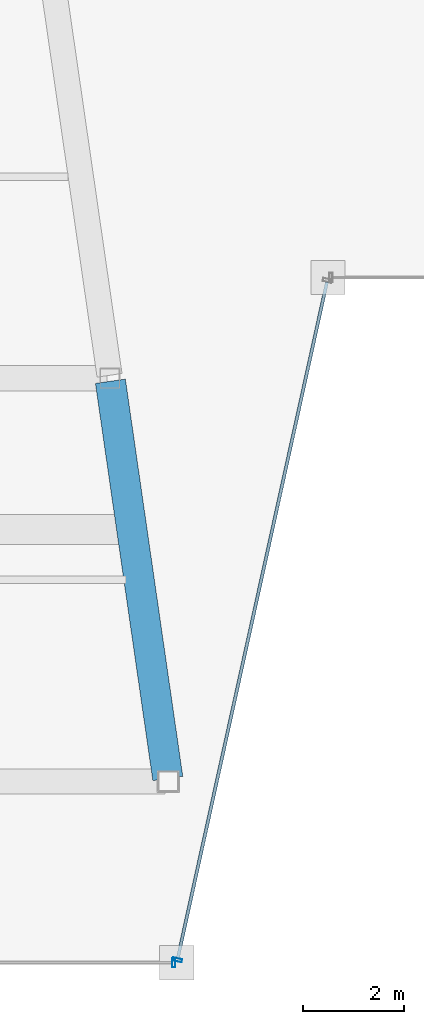
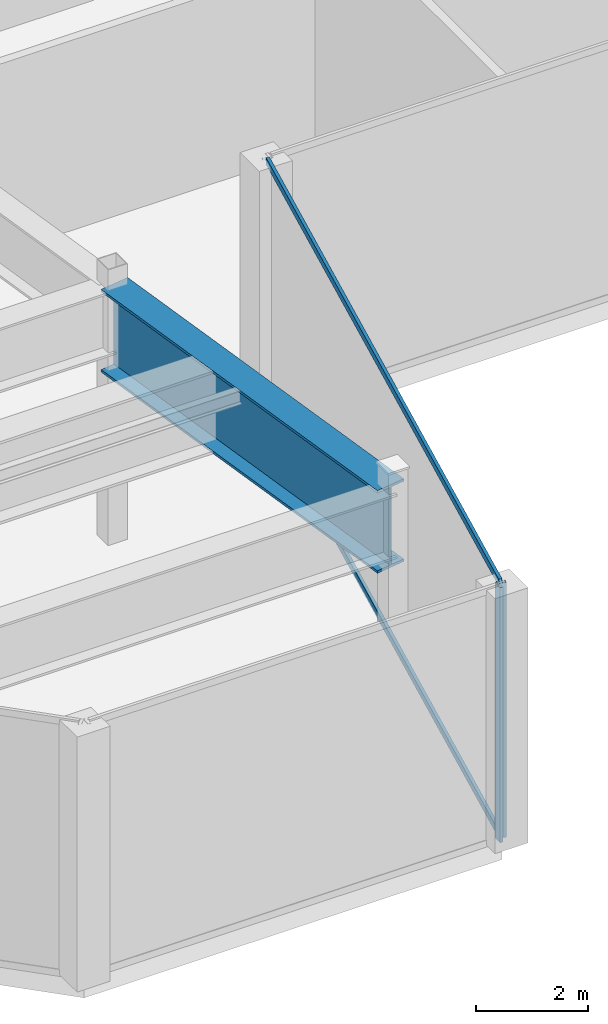
# One storey, part 7 of 34: 4 members, 1 beam, 2 elements without a shape of their own.
"""IFC4 building model written with IfcOpenShell, lengths in metres."""

from ifc_helpers import new_model, si_unit, direction, frame, origin, origin_2d, place, context, subcontext, project, spatial, hollow_rectangle, i_section, extrude, material, material_profile, profile_set, type_object, element, aggregate, save


model = new_model("IFC4")

# Units and contexts
model_context = context("Model", 3, precision=1e-05, world=origin(), true_north=direction((0.0, 1.0)))
body_context = subcontext(model_context, "Body", "Model", "MODEL_VIEW")
ifc_project = project(units=[si_unit("LENGTHUNIT", "METRE"), si_unit("AREAUNIT", "SQUARE_METRE"), si_unit("VOLUMEUNIT", "CUBIC_METRE"), si_unit("PLANEANGLEUNIT", "RADIAN"), si_unit("MASSUNIT", "GRAM", prefix="KILO")], contexts=[model_context])

# Site, building, storey
site_placement = place(None, origin())
site = spatial("IfcSite", under=ifc_project, at=site_placement, CompositionType="ELEMENT")
building_placement = place(site_placement, origin())
building = spatial("IfcBuilding", under=site, at=building_placement, Name="Saevonmaru Cultural Tower", CompositionType="ELEMENT")
storey_placement = place(building_placement, frame((0.0, 0.0, 224.60009765625)))
storey = spatial("IfcBuildingStorey", under=building, at=storey_placement, Name="L52", CompositionType="ELEMENT", Elevation=224.60009765625)

# Beam
ifc_material_1 = material(Name="Steel HSA600 (600 MPa)", Category="steel")
ifc_material_profile_1 = material_profile(ifc_material_1, i_section(OverallWidth=0.60009765625, OverallDepth=1.800048828125, WebThickness=0.028076171875, FlangeThickness=0.054931640625, at=origin_2d()), Name="PG-1800x600x28x55")
ifc_profile_set_1 = profile_set([ifc_material_profile_1], Name="Steel HSA600 (600 MPa)")
beam_type = type_object("IfcBeamType", Name="BM-TG-PG1800", PredefinedType="BEAM", material=ifc_profile_set_1)
beam_placement = place(storey_placement, frame((21.91943359375, 16.059326171875, 4.64990234375), z_axis=(-0.143022161059, 0.989719486241, 0.0), x_axis=(-0.989719486241, -0.143022161059, 0.0)))
element("IfcBeam", 1, at=beam_placement, inside=storey, type_object=beam_type, Name="L52 West Atrium Girder 1", PredefinedType="BEAM", context=body_context, shape_type="SweptSolid", body=[
    extrude(i_section(OverallWidth=0.60009765625, OverallDepth=1.800048828125, WebThickness=0.028076171875, FlangeThickness=0.054931640625, at=origin_2d()), origin(), (0.0, 0.0, 1.0), 7.963134765625),
])

# Curtain wall, member
ifc_material_2 = material(Name="Satin Bronze Anodised Aluminium", Category="aluminium")
curtain_wall_type = type_object("IfcCurtainWallType", Name="CW-TYP-B", PredefinedType="NOTDEFINED", material=ifc_material_2)
curtain_wall_1_placement = place(storey_placement, origin())
curtain_wall_1 = element("IfcCurtainWall", 2, at=curtain_wall_1_placement, inside=storey, type_object=curtain_wall_type, Name="L52 Wind-Floor Acoustic Louvre Screen E2", PredefinedType="NOTDEFINED")
ifc_material_profile_2 = material_profile(ifc_material_2, hollow_rectangle(XDim=0.06494140625, YDim=0.179931640625, WallThickness=0.00390625, at=origin_2d()), Name="ALU-MULL-180x65x4")
ifc_profile_set_2 = profile_set([ifc_material_profile_2], Name="Satin Bronze Anodised Aluminium")
member_type_1 = type_object("IfcMemberType", Name="ML-CW-180x65", PredefinedType="MULLION", material=ifc_profile_set_2)
member_1_placement = place(storey_placement, frame((22.037841796875, 12.39990234375, 0.0), z_axis=(0.0, 0.0, 1.0), x_axis=(1.0, 0.0, 0.0)))
member_1 = element("IfcMember", 3, at=member_1_placement, type_object=member_type_1, Name="CW-TW-L52-E2 mullion 2", PredefinedType="MULLION", context=body_context, shape_type="SweptSolid", body=[
    extrude(hollow_rectangle(XDim=0.06494140625, YDim=0.179931640625, WallThickness=0.00390625, at=origin_2d()), origin(), (0.0, 0.0, 1.0), 5.5498046875),
])
aggregate(curtain_wall_1, [member_1])

# Curtain wall, members
curtain_wall_2_placement = place(storey_placement, origin())
curtain_wall_2 = element("IfcCurtainWall", 4, at=curtain_wall_2_placement, inside=storey, type_object=curtain_wall_type, Name="L52 Wind-Floor Acoustic Louvre Screen E3", PredefinedType="NOTDEFINED")
member_2_placement = place(storey_placement, frame((22.110595703125, 12.45849609375, 0.0), z_axis=(0.0, 0.0, 1.0), x_axis=(0.215413319953, 0.976522965212, 0.0)))
member_2 = element("IfcMember", 5, at=member_2_placement, type_object=member_type_1, Name="CW-TW-L52-E3 mullion 1", PredefinedType="MULLION", context=body_context, shape_type="SweptSolid", body=[
    extrude(hollow_rectangle(XDim=0.06494140625, YDim=0.179931640625, WallThickness=0.00390625, at=origin_2d()), origin(), (0.0, 0.0, 1.0), 5.5498046875),
])
ifc_material_profile_3 = material_profile(ifc_material_2, hollow_rectangle(XDim=0.06494140625, YDim=0.14990234375, WallThickness=0.00390625, at=origin_2d()), Name="ALU-TRAN-150x65x4")
ifc_profile_set_3 = profile_set([ifc_material_profile_3], Name="Satin Bronze Anodised Aluminium")
member_type_2 = type_object("IfcMemberType", Name="TR-CW-150x65", PredefinedType="USERDEFINED", material=ifc_profile_set_3)
member_3_placement = place(storey_placement, frame((22.11767578125, 12.490234375, 0.032470703125), z_axis=(0.21541214732, 0.976523223885, 0.0), x_axis=(-0.976523223885, 0.21541214732, 0.0)))
member_3 = element("IfcMember", 6, at=member_3_placement, type_object=member_type_2, Name="CW-TW-L52-E3 transom 1.1", ObjectType="TRANSOM", PredefinedType="USERDEFINED", context=body_context, shape_type="SweptSolid", body=[
    extrude(hollow_rectangle(XDim=0.06494140625, YDim=0.14990234375, WallThickness=0.00390625, at=origin_2d()), origin(), (0.0, 0.0, 1.0), 13.741943359375),
])
member_4_placement = place(storey_placement, frame((22.11767578125, 12.490234375, 5.517333984375), z_axis=(0.21541214732, 0.976523223885, 0.0), x_axis=(-0.976523223885, 0.21541214732, 0.0)))
member_4 = element("IfcMember", 7, at=member_4_placement, type_object=member_type_2, Name="CW-TW-L52-E3 transom 1.2", ObjectType="TRANSOM", PredefinedType="USERDEFINED", context=body_context, shape_type="SweptSolid", body=[
    extrude(hollow_rectangle(XDim=0.06494140625, YDim=0.14990234375, WallThickness=0.00390625, at=origin_2d()), origin(), (0.0, 0.0, 1.0), 13.741943359375),
])
aggregate(curtain_wall_2, [member_2, member_3, member_4])

save(model, "model.ifc")
